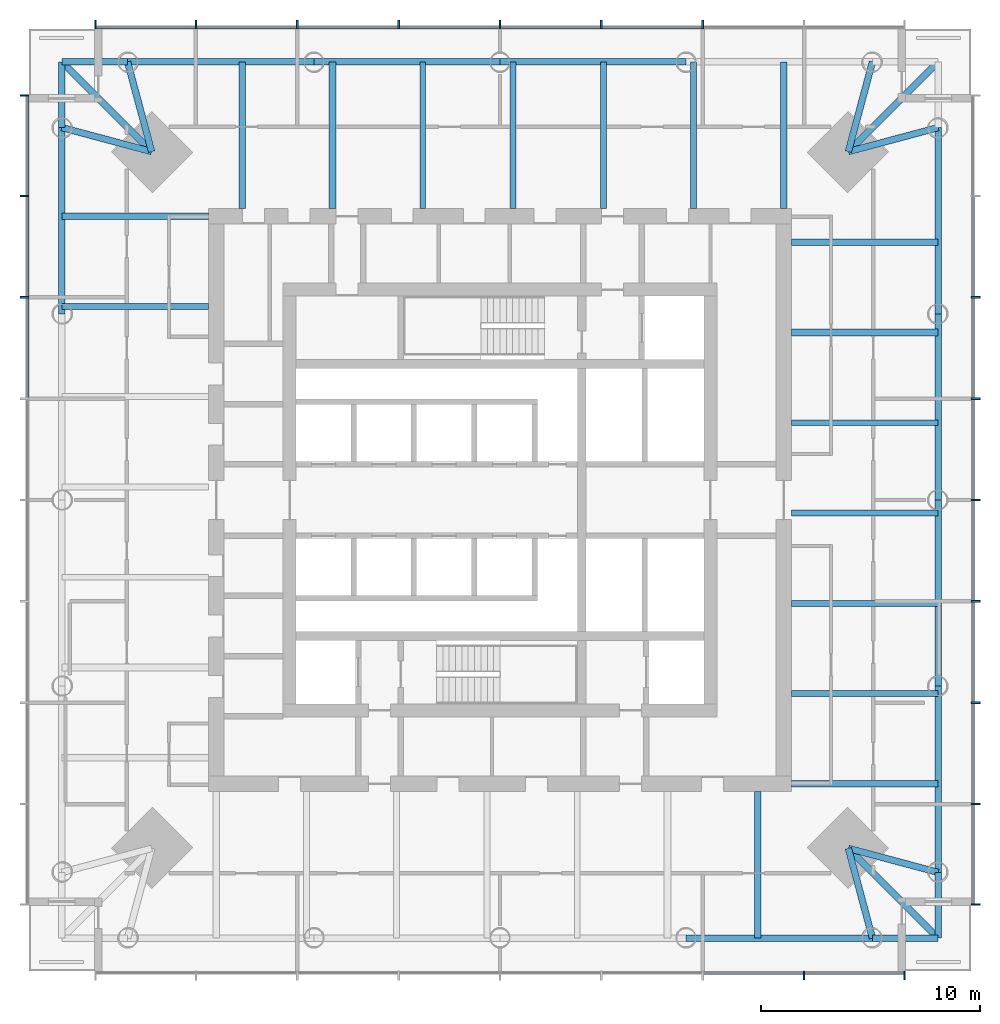
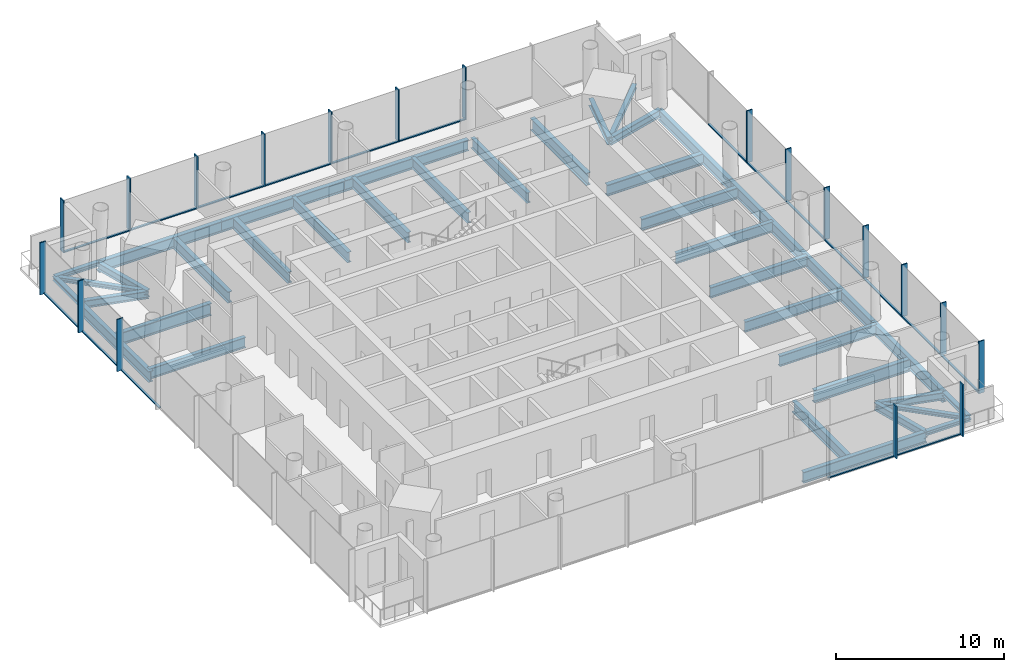
# One storey, part 2 of 9: 39 beams, 37 members, 4 elements without a shape of their own.
"""IFC4 building model written with IfcOpenShell, lengths in metres."""

from ifc_helpers import new_model, si_unit, direction, frame, origin, origin_2d, place, context, subcontext, project, spatial, rectangle, i_section, extrude, material, material_profile, profile_set, type_object, element, aggregate, save


model = new_model("IFC4")

# Units and contexts
model_context = context("Model", 3, precision=1e-05, world=origin(), true_north=direction((0.0, 1.0)))
body_context = subcontext(model_context, "Body", "Model", "MODEL_VIEW")
ifc_project = project(units=[si_unit("LENGTHUNIT", "METRE"), si_unit("AREAUNIT", "SQUARE_METRE"), si_unit("VOLUMEUNIT", "CUBIC_METRE"), si_unit("PLANEANGLEUNIT", "RADIAN"), si_unit("MASSUNIT", "GRAM", prefix="KILO")], contexts=[model_context])

# Site, building, storey
site_placement = place(None, origin())
site = spatial("IfcSite", under=ifc_project, at=site_placement, CompositionType="ELEMENT")
building_placement = place(site_placement, origin())
building = spatial("IfcBuilding", under=site, at=building_placement, Name="Ostroluk Exchange", CompositionType="ELEMENT")
storey_placement = place(building_placement, frame((0.0, 0.0, 146.39990234375)))
storey = spatial("IfcBuildingStorey", under=building, at=storey_placement, Name="L37", CompositionType="ELEMENT", Elevation=146.39990234375)

# Beams
ifc_material_1 = material(Name="Steel S355", Category="steel")
ifc_material_profile_1 = material_profile(ifc_material_1, i_section(OverallWidth=0.300048828125, OverallDepth=0.300048828125, WebThickness=0.010986328125, FlangeThickness=0.01904296875, FilletRadius=0.027099609375, at=origin_2d()), Name="HEB 300")
ifc_profile_set_1 = profile_set([ifc_material_profile_1], Name="Steel S355")
beam_type_1 = type_object("IfcBeamType", Name="Balcony beam HEB 300", PredefinedType="BEAM", material=ifc_profile_set_1)
beam_1_placement = place(storey_placement, frame((60.892822265625, 61.892822265625, -0.329833984375), z_axis=(0.707106781187, 0.707106781187, 0.0), x_axis=(-0.707106781187, 0.707106781187, 0.0)))
element("IfcBeam", 1, at=beam_1_placement, inside=storey, type_object=beam_type_1, Name="T1 east balcony beam c", PredefinedType="BEAM", context=body_context, shape_type="SweptSolid", body=[
    extrude(i_section(OverallWidth=0.300048828125, OverallDepth=0.300048828125, WebThickness=0.010986328125, FlangeThickness=0.01904296875, FilletRadius=0.027099609375, at=origin_2d()), origin(), (0.0, 0.0, 1.0), 5.79833984375),
])
for number, where, z_axis, x_axis, name in (
    (2, (28.007080078125, 65.992919921875, -0.329833984375), (-1.0, 0.0, 0.0), (0.0, -1.0, 0.0), "T1 north balcony beam a"),
    (3, (25.007080078125, 62.992919921875, -0.329833984375), (0.0, 1.0, 0.0), (-1.0, 0.0, 0.0), "T1 north balcony beam b"),
):
    element("IfcBeam", number, at=place(storey_placement, frame(where, z_axis=z_axis, x_axis=x_axis)), inside=storey, type_object=beam_type_1, Name=name, PredefinedType="BEAM", context=body_context, shape_type="SweptSolid", body=[
        extrude(i_section(OverallWidth=0.300048828125, OverallDepth=0.300048828125, WebThickness=0.010986328125, FlangeThickness=0.01904296875, FilletRadius=0.027099609375, at=origin_2d()), origin(), (0.0, 0.0, 1.0), 3.0),
    ])
beam_2_placement = place(storey_placement, frame((29.107177734375, 61.892822265625, -0.329833984375), z_axis=(-0.707106781187, 0.707106781187, 0.0), x_axis=(-0.707106781187, -0.707106781187, 0.0)))
element("IfcBeam", 4, at=beam_2_placement, inside=storey, type_object=beam_type_1, Name="T1 north balcony beam c", PredefinedType="BEAM", context=body_context, shape_type="SweptSolid", body=[
    extrude(i_section(OverallWidth=0.300048828125, OverallDepth=0.300048828125, WebThickness=0.010986328125, FlangeThickness=0.01904296875, FilletRadius=0.027099609375, at=origin_2d()), origin(), (0.0, 0.0, 1.0), 5.79833984375),
])
for number, where, z_axis, x_axis, name in (
    (5, (61.992919921875, 26.007080078125, -0.329833984375), (1.0, 0.0, 0.0), (0.0, 1.0, 0.0), "T1 south balcony beam a"),
    (6, (64.992919921875, 29.007080078125, -0.329833984375), (0.0, -1.0, 0.0), (1.0, 0.0, 0.0), "T1 south balcony beam b"),
):
    element("IfcBeam", number, at=place(storey_placement, frame(where, z_axis=z_axis, x_axis=x_axis)), inside=storey, type_object=beam_type_1, Name=name, PredefinedType="BEAM", context=body_context, shape_type="SweptSolid", body=[
        extrude(i_section(OverallWidth=0.300048828125, OverallDepth=0.300048828125, WebThickness=0.010986328125, FlangeThickness=0.01904296875, FilletRadius=0.027099609375, at=origin_2d()), origin(), (0.0, 0.0, 1.0), 3.0),
    ])
beam_3_placement = place(storey_placement, frame((60.892822265625, 30.107177734375, -0.329833984375), z_axis=(0.707106781187, -0.707106781187, 0.0), x_axis=(0.707106781187, 0.707106781187, 0.0)))
element("IfcBeam", 7, at=beam_3_placement, inside=storey, type_object=beam_type_1, Name="T1 south balcony beam c", PredefinedType="BEAM", context=body_context, shape_type="SweptSolid", body=[
    extrude(i_section(OverallWidth=0.300048828125, OverallDepth=0.300048828125, WebThickness=0.010986328125, FlangeThickness=0.01904296875, FilletRadius=0.027099609375, at=origin_2d()), origin(), (0.0, 0.0, 1.0), 5.79833984375),
])
ifc_material_2 = material(Name="Steel S355", Category="steel")
ifc_material_profile_2 = material_profile(ifc_material_2, i_section(OverallWidth=0.300048828125, OverallDepth=0.550048828125, WebThickness=0.014892578125, FlangeThickness=0.029052734375, FilletRadius=0.027099609375, at=origin_2d()), Name="HEB 550")
ifc_profile_set_2 = profile_set([ifc_material_profile_2], Name="Steel S355")
beam_type_2 = type_object("IfcBeamType", Name="Corner edge beam HEB 550", PredefinedType="SPANDREL", material=ifc_profile_set_2)
for number, where, z_axis, x_axis, name in (
    (8, (60.892822265625, 61.892822265625, -0.454833984375), (0.965838624319, 0.259144268261, 0.0), (-0.259144268261, 0.965838624319, 0.0), "T1 east corner edge beam a"),
    (9, (60.892822265625, 61.892822265625, -0.454833984375), (0.259144268261, 0.965838624319, 0.0), (-0.965838624319, 0.259144268261, 0.0), "T1 east corner edge beam b"),
    (10, (29.107177734375, 61.892822265625, -0.454833984375), (-0.259144268261, 0.965838624319, 0.0), (-0.965838624319, -0.259144268261, 0.0), "T1 north corner edge beam a"),
    (11, (29.107177734375, 61.892822265625, -0.454833984375), (-0.965838624319, 0.259144268261, 0.0), (-0.259144268261, -0.965838624319, 0.0), "T1 north corner edge beam b"),
    (12, (60.892822265625, 30.107177734375, -0.454833984375), (0.259144268261, -0.965838624319, 0.0), (0.965838624319, 0.259144268261, 0.0), "T1 south corner edge beam a"),
    (13, (60.892822265625, 30.107177734375, -0.454833984375), (0.965838624319, -0.259144268261, 0.0), (0.259144268261, 0.965838624319, 0.0), "T1 south corner edge beam b"),
):
    element("IfcBeam", number, at=place(storey_placement, frame(where, z_axis=z_axis, x_axis=x_axis)), inside=storey, type_object=beam_type_2, Name=name, PredefinedType="SPANDREL", context=body_context, shape_type="SweptSolid", body=[
        extrude(i_section(OverallWidth=0.300048828125, OverallDepth=0.550048828125, WebThickness=0.014892578125, FlangeThickness=0.029052734375, FilletRadius=0.027099609375, at=origin_2d()), origin(), (0.0, 0.0, 1.0), 4.2451171875),
    ])
ifc_material_3 = material(Name="Steel S355", Category="steel")
ifc_material_profile_3 = material_profile(ifc_material_3, i_section(OverallWidth=0.302978515625, OverallDepth=0.81396484375, WebThickness=0.02099609375, FlangeThickness=0.0400390625, FilletRadius=0.030029296875, at=origin_2d()), Name="HEM 800")
ifc_profile_set_3 = profile_set([ifc_material_profile_3], Name="Steel S355")
beam_type_3 = type_object("IfcBeamType", Name="Floor beam HEM 800", PredefinedType="BEAM", material=ifc_profile_set_3)
for number, where, z_axis, x_axis, name in (
    (14, (58.300048828125, 53.639404296875, -0.5869140625), (1.0, 0.0, 0.0), (0.0, 1.0, 0.0), "T1 east floor beam 5"),
    (15, (58.300048828125, 57.757080078125, -0.5869140625), (1.0, 0.0, 0.0), (0.0, 1.0, 0.0), "T1 east floor beam 6"),
    (16, (37.360595703125, 59.300048828125, -0.5869140625), (0.0, 1.0, 0.0), (-1.0, 0.0, 0.0), "T1 north floor beam 5"),
    (17, (33.242919921875, 59.300048828125, -0.5869140625), (0.0, 1.0, 0.0), (-1.0, 0.0, 0.0), "T1 north floor beam 6"),
    (18, (56.757080078125, 32.699951171875, -0.5869140625), (0.0, -1.0, 0.0), (1.0, 0.0, 0.0), "T1 south floor beam 6"),
):
    element("IfcBeam", number, at=place(storey_placement, frame(where, z_axis=z_axis, x_axis=x_axis)), inside=storey, type_object=beam_type_3, Name=name, PredefinedType="BEAM", context=body_context, shape_type="SweptSolid", body=[
        extrude(i_section(OverallWidth=0.302978515625, OverallDepth=0.81396484375, WebThickness=0.02099609375, FlangeThickness=0.0400390625, FilletRadius=0.030029296875, at=origin_2d()), origin(), (0.0, 0.0, 1.0), 6.69287109375),
    ])
ifc_material_4 = material(Name="Steel S355", Category="steel")
ifc_material_profile_4 = material_profile(ifc_material_4, i_section(OverallWidth=0.26708984375, OverallDepth=0.761962890625, WebThickness=0.014404296875, FlangeThickness=0.021484375, FilletRadius=0.01708984375, at=origin_2d()), Name="IPE 750x173")
ifc_profile_set_4 = profile_set([ifc_material_profile_4], Name="Steel S355")
beam_type_4 = type_object("IfcBeamType", Name="Floor beam IPE 750x173", PredefinedType="BEAM", material=ifc_profile_set_4)
for number, where, z_axis, x_axis, name in (
    (19, (58.300048828125, 37.16796875, -0.560791015625), (1.0, 0.0, 0.0), (0.0, 1.0, 0.0), "T1 east floor beam 1"),
    (20, (58.300048828125, 41.28564453125, -0.560791015625), (1.0, 0.0, 0.0), (0.0, 1.0, 0.0), "T1 east floor beam 2"),
    (21, (58.300048828125, 45.403564453125, -0.560791015625), (1.0, 0.0, 0.0), (0.0, 1.0, 0.0), "T1 east floor beam 3"),
    (22, (58.300048828125, 49.521484375, -0.560791015625), (1.0, 0.0, 0.0), (0.0, 1.0, 0.0), "T1 east floor beam 4"),
    (23, (53.83203125, 59.300048828125, -0.560791015625), (0.0, 1.0, 0.0), (-1.0, 0.0, 0.0), "T1 north floor beam 1"),
    (24, (49.71435546875, 59.300048828125, -0.560791015625), (0.0, 1.0, 0.0), (-1.0, 0.0, 0.0), "T1 north floor beam 2"),
    (25, (45.596435546875, 59.300048828125, -0.560791015625), (0.0, 1.0, 0.0), (-1.0, 0.0, 0.0), "T1 north floor beam 3"),
    (26, (41.478515625, 59.300048828125, -0.560791015625), (0.0, 1.0, 0.0), (-1.0, 0.0, 0.0), "T1 north floor beam 4"),
    (27, (31.699951171875, 54.83203125, -0.560791015625), (-1.0, 0.0, 0.0), (0.0, -1.0, 0.0), "T1 west floor beam 1"),
):
    element("IfcBeam", number, at=place(storey_placement, frame(where, z_axis=z_axis, x_axis=x_axis)), inside=storey, type_object=beam_type_4, Name=name, PredefinedType="BEAM", context=body_context, shape_type="SweptSolid", body=[
        extrude(i_section(OverallWidth=0.26708984375, OverallDepth=0.761962890625, WebThickness=0.014404296875, FlangeThickness=0.021484375, FilletRadius=0.01708984375, at=origin_2d()), origin(), (0.0, 0.0, 1.0), 6.69287109375),
    ])
ifc_material_5 = material(Name="Steel S355", Category="steel")
ifc_material_profile_5 = material_profile(ifc_material_5, i_section(OverallWidth=0.300048828125, OverallDepth=0.89990234375, WebThickness=0.0185546875, FlangeThickness=0.034912109375, FilletRadius=0.030029296875, at=origin_2d()), Name="HEB 900")
ifc_profile_set_5 = profile_set([ifc_material_profile_5], Name="Steel S355")
beam_type_5 = type_object("IfcBeamType", Name="Girder HEB 900", PredefinedType="BEAM", material=ifc_profile_set_5)
for number, where, z_axis, x_axis, name in (
    (28, (57.949951171875, 59.300048828125, -0.6298828125), (0.0, 1.0, 0.0), (-1.0, 0.0, 0.0), "T1 east girder"),
    (29, (31.699951171875, 58.949951171875, -0.6298828125), (-1.0, 0.0, 0.0), (0.0, -1.0, 0.0), "T1 north girder"),
    (30, (58.300048828125, 33.050048828125, -0.6298828125), (1.0, 0.0, 0.0), (0.0, 1.0, 0.0), "T1 south girder"),
):
    element("IfcBeam", number, at=place(storey_placement, frame(where, z_axis=z_axis, x_axis=x_axis)), inside=storey, type_object=beam_type_5, Name=name, PredefinedType="BEAM", context=body_context, shape_type="SweptSolid", body=[
        extrude(i_section(OverallWidth=0.300048828125, OverallDepth=0.89990234375, WebThickness=0.0185546875, FlangeThickness=0.034912109375, FilletRadius=0.030029296875, at=origin_2d()), origin(), (0.0, 0.0, 1.0), 6.69287109375),
    ])
ifc_material_6 = material(Name="Steel S355", Category="steel")
ifc_material_profile_6 = material_profile(ifc_material_6, i_section(OverallWidth=0.300048828125, OverallDepth=0.800048828125, WebThickness=0.017578125, FlangeThickness=0.032958984375, FilletRadius=0.030029296875, at=origin_2d()), Name="HEB 800")
ifc_profile_set_6 = profile_set([ifc_material_profile_6], Name="Steel S355")
beam_type_6 = type_object("IfcBeamType", Name="Moment-connected edge beam HEB 800", PredefinedType="SPANDREL", material=ifc_profile_set_6)
beam_4_placement = place(storey_placement, frame((64.992919921875, 29.007080078125, -0.579833984375), z_axis=(0.0, 1.0, 0.0), x_axis=(-1.0, 0.0, 0.0)))
element("IfcBeam", 31, at=beam_4_placement, inside=storey, type_object=beam_type_6, Name="T1 east edge beam 1", PredefinedType="SPANDREL", context=body_context, shape_type="SweptSolid", body=[
    extrude(i_section(OverallWidth=0.300048828125, OverallDepth=0.800048828125, WebThickness=0.017578125, FlangeThickness=0.032958984375, FilletRadius=0.030029296875, at=origin_2d()), origin(), (0.0, 0.0, 1.0), 8.49658203125),
])
for number, where, z_axis, x_axis, name in (
    (32, (64.992919921875, 37.503662109375, -0.579833984375), (0.0, 1.0, 0.0), (-1.0, 0.0, 0.0), "T1 east edge beam 2"),
    (33, (64.992919921875, 46.0, -0.579833984375), (0.0, 1.0, 0.0), (-1.0, 0.0, 0.0), "T1 east edge beam 3"),
):
    element("IfcBeam", number, at=place(storey_placement, frame(where, z_axis=z_axis, x_axis=x_axis)), inside=storey, type_object=beam_type_6, Name=name, PredefinedType="SPANDREL", context=body_context, shape_type="SweptSolid", body=[
        extrude(i_section(OverallWidth=0.300048828125, OverallDepth=0.800048828125, WebThickness=0.017578125, FlangeThickness=0.032958984375, FilletRadius=0.030029296875, at=origin_2d()), origin(), (0.0, 0.0, 1.0), 8.496337890625),
    ])
beam_5_placement = place(storey_placement, frame((64.992919921875, 54.496337890625, -0.579833984375), z_axis=(0.0, 1.0, 0.0), x_axis=(-1.0, 0.0, 0.0)))
element("IfcBeam", 34, at=beam_5_placement, inside=storey, type_object=beam_type_6, Name="T1 east edge beam 4", PredefinedType="SPANDREL", context=body_context, shape_type="SweptSolid", body=[
    extrude(i_section(OverallWidth=0.300048828125, OverallDepth=0.800048828125, WebThickness=0.017578125, FlangeThickness=0.032958984375, FilletRadius=0.030029296875, at=origin_2d()), origin(), (0.0, 0.0, 1.0), 8.49658203125),
])
for number, where, z_axis, x_axis, name in (
    (35, (53.496337890625, 65.992919921875, -0.579833984375), (-1.0, 0.0, 0.0), (0.0, -1.0, 0.0), "T1 north edge beam 2"),
    (36, (45.0, 65.992919921875, -0.579833984375), (-1.0, 0.0, 0.0), (0.0, -1.0, 0.0), "T1 north edge beam 3"),
):
    element("IfcBeam", number, at=place(storey_placement, frame(where, z_axis=z_axis, x_axis=x_axis)), inside=storey, type_object=beam_type_6, Name=name, PredefinedType="SPANDREL", context=body_context, shape_type="SweptSolid", body=[
        extrude(i_section(OverallWidth=0.300048828125, OverallDepth=0.800048828125, WebThickness=0.017578125, FlangeThickness=0.032958984375, FilletRadius=0.030029296875, at=origin_2d()), origin(), (0.0, 0.0, 1.0), 8.496337890625),
    ])
for number, where, z_axis, x_axis, name in (
    (37, (36.503662109375, 65.992919921875, -0.579833984375), (-1.0, 0.0, 0.0), (0.0, -1.0, 0.0), "T1 north edge beam 4"),
    (38, (25.007080078125, 62.992919921875, -0.579833984375), (0.0, -1.0, 0.0), (1.0, 0.0, 0.0), "T1 west edge beam 1"),
    (39, (53.496337890625, 26.007080078125, -0.579833984375), (1.0, 0.0, 0.0), (0.0, 1.0, 0.0), "T1 south edge beam 4"),
):
    element("IfcBeam", number, at=place(storey_placement, frame(where, z_axis=z_axis, x_axis=x_axis)), inside=storey, type_object=beam_type_6, Name=name, PredefinedType="SPANDREL", context=body_context, shape_type="SweptSolid", body=[
        extrude(i_section(OverallWidth=0.300048828125, OverallDepth=0.800048828125, WebThickness=0.017578125, FlangeThickness=0.032958984375, FilletRadius=0.030029296875, at=origin_2d()), origin(), (0.0, 0.0, 1.0), 8.49658203125),
    ])

# Curtain wall, members
ifc_material_7 = material(Name="Laminated clear glass", Category="glass")
curtain_wall_type = type_object("IfcCurtainWallType", Name="Office tower facade", PredefinedType="USERDEFINED", material=ifc_material_7)
curtain_wall_1_placement = place(storey_placement, origin())
curtain_wall_1 = element("IfcCurtainWall", 40, at=curtain_wall_1_placement, inside=storey, type_object=curtain_wall_type, Name="Office tower south facade L37", ObjectType="UNITISED CURTAIN WALL", PredefinedType="USERDEFINED")
ifc_material_8 = material(Name="Aluminium mullion", Category="aluminium")
ifc_material_profile_7 = material_profile(ifc_material_8, rectangle(XDim=0.14990234375, YDim=0.080078125, at=origin_2d()), Name="Sill transom 80 x 150")
ifc_profile_set_7 = profile_set([ifc_material_profile_7], Name="Aluminium mullion")
member_type_1 = type_object("IfcMemberType", Name="Sill transom 80 x 150", PredefinedType="USERDEFINED", material=ifc_profile_set_7)
member_1_placement = place(storey_placement, frame((54.2900390625, 24.425048828125, 0.0400390625), z_axis=(1.0, 0.0, 0.0), x_axis=(0.0, 1.0, 0.0)))
member_1 = element("IfcMember", 41, at=member_1_placement, type_object=member_type_1, Name="CW-O1 transom 7.1", ObjectType="TRANSOM", PredefinedType="USERDEFINED", context=body_context, shape_type="SweptSolid", body=[
    extrude(rectangle(XDim=0.14990234375, YDim=0.080078125, at=origin_2d()), origin(), (0.0, 0.0, 1.0), 4.544921875),
])
member_2_placement = place(storey_placement, frame((58.9150390625, 24.425048828125, 0.0400390625), z_axis=(1.0, 0.0, 0.0), x_axis=(0.0, 1.0, 0.0)))
member_2 = element("IfcMember", 42, at=member_2_placement, type_object=member_type_1, Name="CW-O1 transom 8.1", ObjectType="TRANSOM", PredefinedType="USERDEFINED", context=body_context, shape_type="SweptSolid", body=[
    extrude(rectangle(XDim=0.14990234375, YDim=0.080078125, at=origin_2d()), origin(), (0.0, 0.0, 1.0), 4.5048828125),
])

curtain_wall_2_placement = place(storey_placement, origin())
curtain_wall_2 = element("IfcCurtainWall", 43, at=curtain_wall_2_placement, inside=storey, type_object=curtain_wall_type, Name="Office tower east facade L37", ObjectType="UNITISED CURTAIN WALL", PredefinedType="USERDEFINED")
member_3_placement = place(storey_placement, frame((66.574951171875, 27.580078125, 0.0400390625), z_axis=(0.0, 1.0, 0.0), x_axis=(-1.0, 0.0, 0.0)))
member_3 = element("IfcMember", 44, at=member_3_placement, type_object=member_type_1, Name="CW-O1 transom 1.1", ObjectType="TRANSOM", PredefinedType="USERDEFINED", context=body_context, shape_type="SweptSolid", body=[
    extrude(rectangle(XDim=0.14990234375, YDim=0.080078125, at=origin_2d()), origin(), (0.0, 0.0, 1.0), 4.5048828125),
])
member_4_placement = place(storey_placement, frame((66.574951171875, 32.1650390625, 0.0400390625), z_axis=(0.0, 1.0, 0.0), x_axis=(-1.0, 0.0, 0.0)))
member_4 = element("IfcMember", 45, at=member_4_placement, type_object=member_type_1, Name="CW-O1 transom 2.1", ObjectType="TRANSOM", PredefinedType="USERDEFINED", context=body_context, shape_type="SweptSolid", body=[
    extrude(rectangle(XDim=0.14990234375, YDim=0.080078125, at=origin_2d()), origin(), (0.0, 0.0, 1.0), 4.544921875),
])
member_5_placement = place(storey_placement, frame((66.574951171875, 36.7900390625, 0.0400390625), z_axis=(0.0, 1.0, 0.0), x_axis=(-1.0, 0.0, 0.0)))
member_5 = element("IfcMember", 46, at=member_5_placement, type_object=member_type_1, Name="CW-O1 transom 3.1", ObjectType="TRANSOM", PredefinedType="USERDEFINED", context=body_context, shape_type="SweptSolid", body=[
    extrude(rectangle(XDim=0.14990234375, YDim=0.080078125, at=origin_2d()), origin(), (0.0, 0.0, 1.0), 4.544921875),
])
member_6_placement = place(storey_placement, frame((66.574951171875, 41.4150390625, 0.0400390625), z_axis=(0.0, 1.0, 0.0), x_axis=(-1.0, 0.0, 0.0)))
member_6 = element("IfcMember", 47, at=member_6_placement, type_object=member_type_1, Name="CW-O1 transom 4.1", ObjectType="TRANSOM", PredefinedType="USERDEFINED", context=body_context, shape_type="SweptSolid", body=[
    extrude(rectangle(XDim=0.14990234375, YDim=0.080078125, at=origin_2d()), origin(), (0.0, 0.0, 1.0), 4.544921875),
])
member_7_placement = place(storey_placement, frame((66.574951171875, 46.0400390625, 0.0400390625), z_axis=(0.0, 1.0, 0.0), x_axis=(-1.0, 0.0, 0.0)))
member_7 = element("IfcMember", 48, at=member_7_placement, type_object=member_type_1, Name="CW-O1 transom 5.1", ObjectType="TRANSOM", PredefinedType="USERDEFINED", context=body_context, shape_type="SweptSolid", body=[
    extrude(rectangle(XDim=0.14990234375, YDim=0.080078125, at=origin_2d()), origin(), (0.0, 0.0, 1.0), 4.544921875),
])
member_8_placement = place(storey_placement, frame((66.574951171875, 50.6650390625, 0.0400390625), z_axis=(0.0, 1.0, 0.0), x_axis=(-1.0, 0.0, 0.0)))
member_8 = element("IfcMember", 49, at=member_8_placement, type_object=member_type_1, Name="CW-O1 transom 6.1", ObjectType="TRANSOM", PredefinedType="USERDEFINED", context=body_context, shape_type="SweptSolid", body=[
    extrude(rectangle(XDim=0.14990234375, YDim=0.080078125, at=origin_2d()), origin(), (0.0, 0.0, 1.0), 4.544921875),
])
member_9_placement = place(storey_placement, frame((66.574951171875, 55.2900390625, 0.0400390625), z_axis=(0.0, 1.0, 0.0), x_axis=(-1.0, 0.0, 0.0)))
member_9 = element("IfcMember", 50, at=member_9_placement, type_object=member_type_1, Name="CW-O1 transom 7.1", ObjectType="TRANSOM", PredefinedType="USERDEFINED", context=body_context, shape_type="SweptSolid", body=[
    extrude(rectangle(XDim=0.14990234375, YDim=0.080078125, at=origin_2d()), origin(), (0.0, 0.0, 1.0), 4.544921875),
])

curtain_wall_3_placement = place(storey_placement, origin())
curtain_wall_3 = element("IfcCurtainWall", 51, at=curtain_wall_3_placement, inside=storey, type_object=curtain_wall_type, Name="Office tower north facade L37", ObjectType="UNITISED CURTAIN WALL", PredefinedType="USERDEFINED")
member_10_placement = place(storey_placement, frame((54.2099609375, 67.574951171875, 0.0400390625), z_axis=(-1.0, 0.0, 0.0), x_axis=(0.0, -1.0, 0.0)))
member_10 = element("IfcMember", 52, at=member_10_placement, type_object=member_type_1, Name="CW-O1 transom 3.1", ObjectType="TRANSOM", PredefinedType="USERDEFINED", context=body_context, shape_type="SweptSolid", body=[
    extrude(rectangle(XDim=0.14990234375, YDim=0.080078125, at=origin_2d()), origin(), (0.0, 0.0, 1.0), 4.544921875),
])
member_11_placement = place(storey_placement, frame((49.5849609375, 67.574951171875, 0.0400390625), z_axis=(-1.0, 0.0, 0.0), x_axis=(0.0, -1.0, 0.0)))
member_11 = element("IfcMember", 53, at=member_11_placement, type_object=member_type_1, Name="CW-O1 transom 4.1", ObjectType="TRANSOM", PredefinedType="USERDEFINED", context=body_context, shape_type="SweptSolid", body=[
    extrude(rectangle(XDim=0.14990234375, YDim=0.080078125, at=origin_2d()), origin(), (0.0, 0.0, 1.0), 4.544921875),
])
member_12_placement = place(storey_placement, frame((44.9599609375, 67.574951171875, 0.0400390625), z_axis=(-1.0, 0.0, 0.0), x_axis=(0.0, -1.0, 0.0)))
member_12 = element("IfcMember", 54, at=member_12_placement, type_object=member_type_1, Name="CW-O1 transom 5.1", ObjectType="TRANSOM", PredefinedType="USERDEFINED", context=body_context, shape_type="SweptSolid", body=[
    extrude(rectangle(XDim=0.14990234375, YDim=0.080078125, at=origin_2d()), origin(), (0.0, 0.0, 1.0), 4.544921875),
])
member_13_placement = place(storey_placement, frame((40.3349609375, 67.574951171875, 0.0400390625), z_axis=(-1.0, 0.0, 0.0), x_axis=(0.0, -1.0, 0.0)))
member_13 = element("IfcMember", 55, at=member_13_placement, type_object=member_type_1, Name="CW-O1 transom 6.1", ObjectType="TRANSOM", PredefinedType="USERDEFINED", context=body_context, shape_type="SweptSolid", body=[
    extrude(rectangle(XDim=0.14990234375, YDim=0.080078125, at=origin_2d()), origin(), (0.0, 0.0, 1.0), 4.544921875),
])
member_14_placement = place(storey_placement, frame((35.7099609375, 67.574951171875, 0.0400390625), z_axis=(-1.0, 0.0, 0.0), x_axis=(0.0, -1.0, 0.0)))
member_14 = element("IfcMember", 56, at=member_14_placement, type_object=member_type_1, Name="CW-O1 transom 7.1", ObjectType="TRANSOM", PredefinedType="USERDEFINED", context=body_context, shape_type="SweptSolid", body=[
    extrude(rectangle(XDim=0.14990234375, YDim=0.080078125, at=origin_2d()), origin(), (0.0, 0.0, 1.0), 4.544921875),
])
member_15_placement = place(storey_placement, frame((31.0849609375, 67.574951171875, 0.0400390625), z_axis=(-1.0, 0.0, 0.0), x_axis=(0.0, -1.0, 0.0)))
member_15 = element("IfcMember", 57, at=member_15_placement, type_object=member_type_1, Name="CW-O1 transom 8.1", ObjectType="TRANSOM", PredefinedType="USERDEFINED", context=body_context, shape_type="SweptSolid", body=[
    extrude(rectangle(XDim=0.14990234375, YDim=0.080078125, at=origin_2d()), origin(), (0.0, 0.0, 1.0), 4.5048828125),
])

curtain_wall_4_placement = place(storey_placement, origin())
curtain_wall_4 = element("IfcCurtainWall", 58, at=curtain_wall_4_placement, inside=storey, type_object=curtain_wall_type, Name="Office tower west facade L37", ObjectType="UNITISED CURTAIN WALL", PredefinedType="USERDEFINED")
member_16_placement = place(storey_placement, frame((23.425048828125, 64.419921875, 0.0400390625), z_axis=(0.0, -1.0, 0.0), x_axis=(1.0, 0.0, 0.0)))
member_16 = element("IfcMember", 59, at=member_16_placement, type_object=member_type_1, Name="CW-O1 transom 1.1", ObjectType="TRANSOM", PredefinedType="USERDEFINED", context=body_context, shape_type="SweptSolid", body=[
    extrude(rectangle(XDim=0.14990234375, YDim=0.080078125, at=origin_2d()), origin(), (0.0, 0.0, 1.0), 4.5048828125),
])
member_17_placement = place(storey_placement, frame((23.425048828125, 59.8349609375, 0.0400390625), z_axis=(0.0, -1.0, 0.0), x_axis=(1.0, 0.0, 0.0)))
member_17 = element("IfcMember", 60, at=member_17_placement, type_object=member_type_1, Name="CW-O1 transom 2.1", ObjectType="TRANSOM", PredefinedType="USERDEFINED", context=body_context, shape_type="SweptSolid", body=[
    extrude(rectangle(XDim=0.14990234375, YDim=0.080078125, at=origin_2d()), origin(), (0.0, 0.0, 1.0), 4.544921875),
])
member_18_placement = place(storey_placement, frame((23.425048828125, 55.2099609375, 0.0400390625), z_axis=(0.0, -1.0, 0.0), x_axis=(1.0, 0.0, 0.0)))
member_18 = element("IfcMember", 61, at=member_18_placement, type_object=member_type_1, Name="CW-O1 transom 3.1", ObjectType="TRANSOM", PredefinedType="USERDEFINED", context=body_context, shape_type="SweptSolid", body=[
    extrude(rectangle(XDim=0.14990234375, YDim=0.080078125, at=origin_2d()), origin(), (0.0, 0.0, 1.0), 4.544921875),
])

# Member
ifc_material_9 = material(Name="Aluminium mullion with limestone facing", Category="masonry")
ifc_material_profile_8 = material_profile(ifc_material_9, rectangle(XDim=0.39990234375, YDim=0.080078125, at=origin_2d()), Name="Tracery mullion 80 x 400")
ifc_profile_set_8 = profile_set([ifc_material_profile_8], Name="Aluminium mullion with limestone facing")
member_type_2 = type_object("IfcMemberType", Name="Tracery mullion 80 x 400", PredefinedType="MULLION", material=ifc_profile_set_8)
member_19_placement = place(storey_placement, frame((58.875, 24.300048828125, 0.0), z_axis=(0.0, 0.0, 1.0), x_axis=(0.0, 1.0, 0.0)))
member_19 = element("IfcMember", 62, at=member_19_placement, type_object=member_type_2, Name="CW-O1 mullion 8", PredefinedType="MULLION", context=body_context, shape_type="SweptSolid", body=[
    extrude(rectangle(XDim=0.39990234375, YDim=0.080078125, at=origin_2d()), origin(), (0.0, 0.0, 1.0), 3.800048828125),
])

member_20_placement = place(storey_placement, frame((63.4599609375, 24.300048828125, 0.0), z_axis=(0.0, 0.0, 1.0), x_axis=(0.0, 1.0, 0.0)))
member_20 = element("IfcMember", 63, at=member_20_placement, type_object=member_type_2, Name="CW-O1 mullion 9", PredefinedType="MULLION", context=body_context, shape_type="SweptSolid", body=[
    extrude(rectangle(XDim=0.39990234375, YDim=0.080078125, at=origin_2d()), origin(), (0.0, 0.0, 1.0), 3.800048828125),
])

aggregate(curtain_wall_1, [member_19, member_20, member_1, member_2])

member_21_placement = place(storey_placement, frame((66.699951171875, 27.5400390625, 0.0), z_axis=(0.0, 0.0, 1.0), x_axis=(-1.0, 0.0, 0.0)))
member_21 = element("IfcMember", 64, at=member_21_placement, type_object=member_type_2, Name="CW-O1 mullion 1", PredefinedType="MULLION", context=body_context, shape_type="SweptSolid", body=[
    extrude(rectangle(XDim=0.39990234375, YDim=0.080078125, at=origin_2d()), origin(), (0.0, 0.0, 1.0), 3.800048828125),
])

member_22_placement = place(storey_placement, frame((66.699951171875, 32.125, 0.0), z_axis=(0.0, 0.0, 1.0), x_axis=(-1.0, 0.0, 0.0)))
member_22 = element("IfcMember", 65, at=member_22_placement, type_object=member_type_2, Name="CW-O1 mullion 2", PredefinedType="MULLION", context=body_context, shape_type="SweptSolid", body=[
    extrude(rectangle(XDim=0.39990234375, YDim=0.080078125, at=origin_2d()), origin(), (0.0, 0.0, 1.0), 3.800048828125),
])

member_23_placement = place(storey_placement, frame((66.699951171875, 36.75, 0.0), z_axis=(0.0, 0.0, 1.0), x_axis=(-1.0, 0.0, 0.0)))
member_23 = element("IfcMember", 66, at=member_23_placement, type_object=member_type_2, Name="CW-O1 mullion 3", PredefinedType="MULLION", context=body_context, shape_type="SweptSolid", body=[
    extrude(rectangle(XDim=0.39990234375, YDim=0.080078125, at=origin_2d()), origin(), (0.0, 0.0, 1.0), 3.800048828125),
])

member_24_placement = place(storey_placement, frame((66.699951171875, 41.375, 0.0), z_axis=(0.0, 0.0, 1.0), x_axis=(-1.0, 0.0, 0.0)))
member_24 = element("IfcMember", 67, at=member_24_placement, type_object=member_type_2, Name="CW-O1 mullion 4", PredefinedType="MULLION", context=body_context, shape_type="SweptSolid", body=[
    extrude(rectangle(XDim=0.39990234375, YDim=0.080078125, at=origin_2d()), origin(), (0.0, 0.0, 1.0), 3.800048828125),
])

member_25_placement = place(storey_placement, frame((66.699951171875, 46.0, 0.0), z_axis=(0.0, 0.0, 1.0), x_axis=(-1.0, 0.0, 0.0)))
member_25 = element("IfcMember", 68, at=member_25_placement, type_object=member_type_2, Name="CW-O1 mullion 5", PredefinedType="MULLION", context=body_context, shape_type="SweptSolid", body=[
    extrude(rectangle(XDim=0.39990234375, YDim=0.080078125, at=origin_2d()), origin(), (0.0, 0.0, 1.0), 3.800048828125),
])

member_26_placement = place(storey_placement, frame((66.699951171875, 50.625, 0.0), z_axis=(0.0, 0.0, 1.0), x_axis=(-1.0, 0.0, 0.0)))
member_26 = element("IfcMember", 69, at=member_26_placement, type_object=member_type_2, Name="CW-O1 mullion 6", PredefinedType="MULLION", context=body_context, shape_type="SweptSolid", body=[
    extrude(rectangle(XDim=0.39990234375, YDim=0.080078125, at=origin_2d()), origin(), (0.0, 0.0, 1.0), 3.800048828125),
])

member_27_placement = place(storey_placement, frame((66.699951171875, 55.25, 0.0), z_axis=(0.0, 0.0, 1.0), x_axis=(-1.0, 0.0, 0.0)))
member_27 = element("IfcMember", 70, at=member_27_placement, type_object=member_type_2, Name="CW-O1 mullion 7", PredefinedType="MULLION", context=body_context, shape_type="SweptSolid", body=[
    extrude(rectangle(XDim=0.39990234375, YDim=0.080078125, at=origin_2d()), origin(), (0.0, 0.0, 1.0), 3.800048828125),
])

aggregate(curtain_wall_2, [member_21, member_22, member_23, member_24, member_25, member_26, member_27, member_3, member_4, member_5, member_6, member_7, member_8, member_9])

member_28_placement = place(storey_placement, frame((54.25, 67.699951171875, 0.0), z_axis=(0.0, 0.0, 1.0), x_axis=(0.0, -1.0, 0.0)))
member_28 = element("IfcMember", 71, at=member_28_placement, type_object=member_type_2, Name="CW-O1 mullion 3", PredefinedType="MULLION", context=body_context, shape_type="SweptSolid", body=[
    extrude(rectangle(XDim=0.39990234375, YDim=0.080078125, at=origin_2d()), origin(), (0.0, 0.0, 1.0), 3.800048828125),
])

member_29_placement = place(storey_placement, frame((49.625, 67.699951171875, 0.0), z_axis=(0.0, 0.0, 1.0), x_axis=(0.0, -1.0, 0.0)))
member_29 = element("IfcMember", 72, at=member_29_placement, type_object=member_type_2, Name="CW-O1 mullion 4", PredefinedType="MULLION", context=body_context, shape_type="SweptSolid", body=[
    extrude(rectangle(XDim=0.39990234375, YDim=0.080078125, at=origin_2d()), origin(), (0.0, 0.0, 1.0), 3.800048828125),
])

member_30_placement = place(storey_placement, frame((45.0, 67.699951171875, 0.0), z_axis=(0.0, 0.0, 1.0), x_axis=(0.0, -1.0, 0.0)))
member_30 = element("IfcMember", 73, at=member_30_placement, type_object=member_type_2, Name="CW-O1 mullion 5", PredefinedType="MULLION", context=body_context, shape_type="SweptSolid", body=[
    extrude(rectangle(XDim=0.39990234375, YDim=0.080078125, at=origin_2d()), origin(), (0.0, 0.0, 1.0), 3.800048828125),
])

member_31_placement = place(storey_placement, frame((40.375, 67.699951171875, 0.0), z_axis=(0.0, 0.0, 1.0), x_axis=(0.0, -1.0, 0.0)))
member_31 = element("IfcMember", 74, at=member_31_placement, type_object=member_type_2, Name="CW-O1 mullion 6", PredefinedType="MULLION", context=body_context, shape_type="SweptSolid", body=[
    extrude(rectangle(XDim=0.39990234375, YDim=0.080078125, at=origin_2d()), origin(), (0.0, 0.0, 1.0), 3.800048828125),
])

member_32_placement = place(storey_placement, frame((35.75, 67.699951171875, 0.0), z_axis=(0.0, 0.0, 1.0), x_axis=(0.0, -1.0, 0.0)))
member_32 = element("IfcMember", 75, at=member_32_placement, type_object=member_type_2, Name="CW-O1 mullion 7", PredefinedType="MULLION", context=body_context, shape_type="SweptSolid", body=[
    extrude(rectangle(XDim=0.39990234375, YDim=0.080078125, at=origin_2d()), origin(), (0.0, 0.0, 1.0), 3.800048828125),
])

member_33_placement = place(storey_placement, frame((31.125, 67.699951171875, 0.0), z_axis=(0.0, 0.0, 1.0), x_axis=(0.0, -1.0, 0.0)))
member_33 = element("IfcMember", 76, at=member_33_placement, type_object=member_type_2, Name="CW-O1 mullion 8", PredefinedType="MULLION", context=body_context, shape_type="SweptSolid", body=[
    extrude(rectangle(XDim=0.39990234375, YDim=0.080078125, at=origin_2d()), origin(), (0.0, 0.0, 1.0), 3.800048828125),
])

member_34_placement = place(storey_placement, frame((26.5400390625, 67.699951171875, 0.0), z_axis=(0.0, 0.0, 1.0), x_axis=(0.0, -1.0, 0.0)))
member_34 = element("IfcMember", 77, at=member_34_placement, type_object=member_type_2, Name="CW-O1 mullion 9", PredefinedType="MULLION", context=body_context, shape_type="SweptSolid", body=[
    extrude(rectangle(XDim=0.39990234375, YDim=0.080078125, at=origin_2d()), origin(), (0.0, 0.0, 1.0), 3.800048828125),
])

aggregate(curtain_wall_3, [member_28, member_29, member_30, member_31, member_32, member_33, member_34, member_10, member_11, member_12, member_13, member_14, member_15])

member_35_placement = place(storey_placement, frame((23.300048828125, 64.4599609375, 0.0), z_axis=(0.0, 0.0, 1.0), x_axis=(1.0, 0.0, 0.0)))
member_35 = element("IfcMember", 78, at=member_35_placement, type_object=member_type_2, Name="CW-O1 mullion 1", PredefinedType="MULLION", context=body_context, shape_type="SweptSolid", body=[
    extrude(rectangle(XDim=0.39990234375, YDim=0.080078125, at=origin_2d()), origin(), (0.0, 0.0, 1.0), 3.800048828125),
])

member_36_placement = place(storey_placement, frame((23.300048828125, 59.875, 0.0), z_axis=(0.0, 0.0, 1.0), x_axis=(1.0, 0.0, 0.0)))
member_36 = element("IfcMember", 79, at=member_36_placement, type_object=member_type_2, Name="CW-O1 mullion 2", PredefinedType="MULLION", context=body_context, shape_type="SweptSolid", body=[
    extrude(rectangle(XDim=0.39990234375, YDim=0.080078125, at=origin_2d()), origin(), (0.0, 0.0, 1.0), 3.800048828125),
])

member_37_placement = place(storey_placement, frame((23.300048828125, 55.25, 0.0), z_axis=(0.0, 0.0, 1.0), x_axis=(1.0, 0.0, 0.0)))
member_37 = element("IfcMember", 80, at=member_37_placement, type_object=member_type_2, Name="CW-O1 mullion 3", PredefinedType="MULLION", context=body_context, shape_type="SweptSolid", body=[
    extrude(rectangle(XDim=0.39990234375, YDim=0.080078125, at=origin_2d()), origin(), (0.0, 0.0, 1.0), 3.800048828125),
])

aggregate(curtain_wall_4, [member_35, member_36, member_37, member_16, member_17, member_18])

save(model, "model.ifc")
